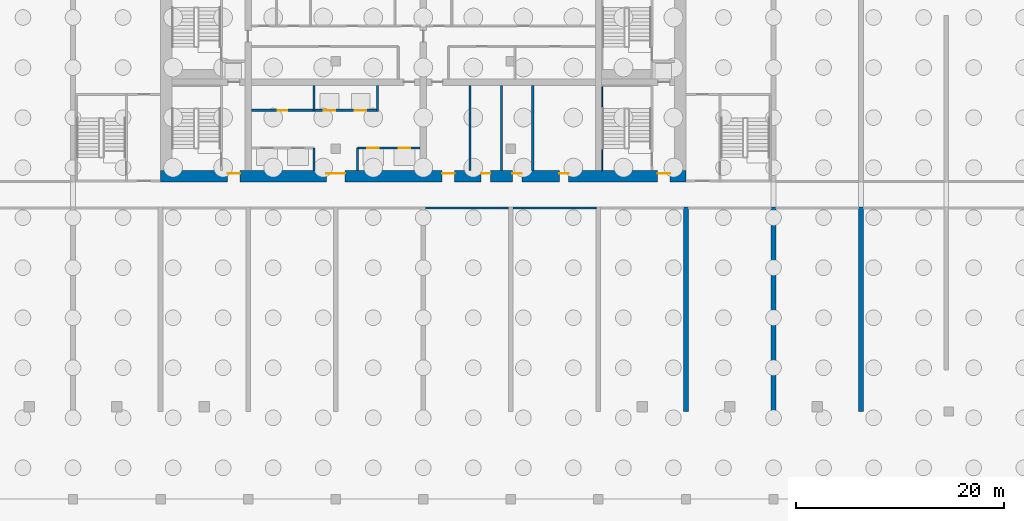
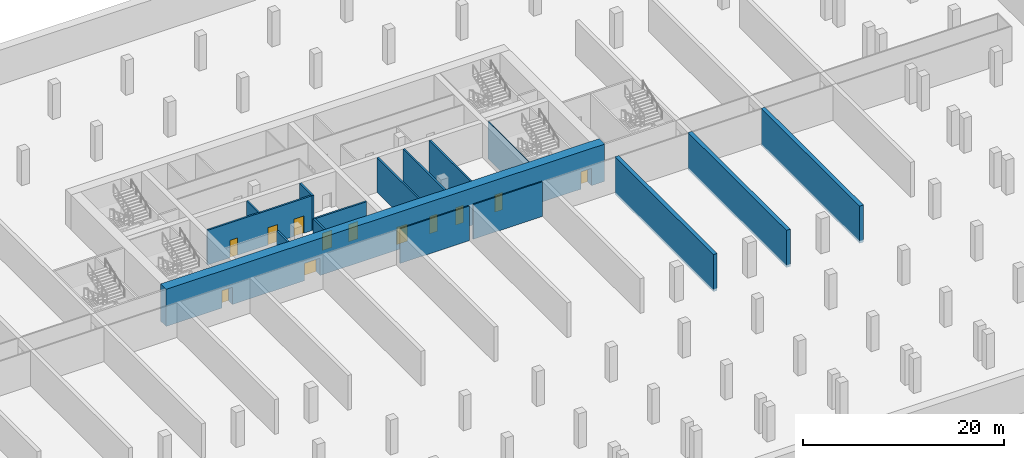
# One storey, part 7 of 17: 16 walls, 12 doors, 12 openings.
"""IFC4 building model written with IfcOpenShell, lengths in metres."""

from ifc_helpers import new_model, si_unit, direction, frame, frame_2d, origin, place, context, subcontext, project, spatial, rectangle, extrude, source, transform, mapped, material, layer, layer_set, type_object, element, fill, save


model = new_model("IFC4")

# Units and contexts
model_context = context("Model", 3, precision=1e-05, world=origin(), true_north=direction((0.0, 1.0)))
body_context = subcontext(model_context, "Body", "Model", "MODEL_VIEW")
ifc_project = project(units=[si_unit("LENGTHUNIT", "METRE"), si_unit("AREAUNIT", "SQUARE_METRE"), si_unit("VOLUMEUNIT", "CUBIC_METRE"), si_unit("PLANEANGLEUNIT", "RADIAN"), si_unit("MASSUNIT", "GRAM", prefix="KILO")], contexts=[model_context])

# Site, building, storey
site_placement = place(None, origin())
site = spatial("IfcSite", under=ifc_project, at=site_placement, CompositionType="ELEMENT")
building_placement = place(site_placement, origin())
building = spatial("IfcBuilding", under=site, at=building_placement, Name="Vanashikhar Sky Hotel", CompositionType="ELEMENT")
storey_placement = place(building_placement, frame((0.0, 0.0, -13.5)))
storey = spatial("IfcBuildingStorey", under=building, at=storey_placement, Name="B3", CompositionType="ELEMENT", Elevation=-13.5)

# Wall, openings, doors
ifc_material_1 = material(Name="Concrete M80", Category="concrete")
ifc_layer_1 = layer(ifc_material_1, 1.10009765625)
ifc_layer_set_1 = layer_set([ifc_layer_1], Name="RC core shell wall 1100 Concrete M80")
wall_type_1 = type_object("IfcWallType", Name="RC core shell wall 1100 Concrete M80", PredefinedType="SHEAR", material=ifc_layer_set_1)
shared_shape_1 = source(origin(), body_context, "Body", "SweptSolid", [
    extrude(rectangle(XDim=50.400146484375, YDim=1.10009765625, at=frame_2d((25.2001953125, 0.0))), origin(), (0.0, 0.0, 1.0), 4.52001953125),
])
wall_1_placement = place(storey_placement, frame((25.199951171875, 22.550048828125, -0.300048828125), z_axis=(0.0, 0.0, 1.0), x_axis=(1.0, 0.0, 0.0)))
wall_1 = element("IfcWall", 1, at=wall_1_placement, inside=storey, type_object=wall_type_1, Name="KW-B3-KS", PredefinedType="SHEAR", context=body_context, shape_type="MappedRepresentation", body=[
    mapped(shared_shape_1, transform((0.0, 0.0, 0.0), scale=1.0)),
])
shared_shape_2 = source(origin(), body_context, "Body", "SweptSolid", [
    extrude(rectangle(XDim=1.800048828125, YDim=2.10009765625, at=frame_2d((0.89990234375, 1.050048828125))), frame((0.0, 0.56005859375, 0.0), z_axis=(0.0, -1.0, 0.0), x_axis=(1.0, 0.0, 0.0)), (0.0, 0.0, 1.0), 1.1201171875),
])
opening_1_placement = place(wall_1_placement, frame((15.89990234375, 0.0, 0.0)))
opening_1 = element("IfcOpeningElement", 2, at=opening_1_placement, cuts=wall_1, Name="Opening DC-3", PredefinedType="OPENING", context=body_context, shape_type="MappedRepresentation", body=[
    mapped(shared_shape_2, transform((0.0, 0.0, 0.0), scale=1.0)),
])
shared_shape_3 = source(origin(), body_context, "Body", "SweptSolid", [
    extrude(rectangle(XDim=1.199951171875, YDim=2.10009765625, at=frame_2d((0.60009765625, 1.050048828125))), frame((0.0, 0.56005859375, 0.0), z_axis=(0.0, -1.0, 0.0), x_axis=(1.0, 0.0, 0.0)), (0.0, 0.0, 1.0), 1.1201171875),
])
opening_2_placement = place(wall_1_placement, frame((27.0, 0.0, 0.0)))
opening_2 = element("IfcOpeningElement", 3, at=opening_2_placement, cuts=wall_1, Name="Opening DC-4-B", PredefinedType="OPENING", context=body_context, shape_type="MappedRepresentation", body=[
    mapped(shared_shape_3, transform((0.0, 0.0, 0.0), scale=1.0)),
])
shared_shape_4 = source(origin(), body_context, "Body", "SweptSolid", [
    extrude(rectangle(XDim=0.89990234375, YDim=2.10009765625, at=frame_2d((0.449951171875, 1.050048828125))), frame((0.0, 0.56005859375, 0.0), z_axis=(0.0, -1.0, 0.0), x_axis=(1.0, 0.0, 0.0)), (0.0, 0.0, 1.0), 1.1201171875),
])
opening_3_placement = place(wall_1_placement, frame((33.75, 0.0, 0.0)))
opening_3 = element("IfcOpeningElement", 4, at=opening_3_placement, cuts=wall_1, Name="Opening DC-4-A", PredefinedType="OPENING", context=body_context, shape_type="MappedRepresentation", body=[
    mapped(shared_shape_4, transform((0.0, 0.0, 0.0), scale=1.0)),
])
opening_4_placement = place(wall_1_placement, frame((30.75, 0.0, 0.0)))
opening_4 = element("IfcOpeningElement", 5, at=opening_4_placement, cuts=wall_1, Name="Opening DC-4-A", PredefinedType="OPENING", context=body_context, shape_type="MappedRepresentation", body=[
    mapped(shared_shape_4, transform((0.0, 0.0, 0.0), scale=1.0)),
])
opening_5_placement = place(wall_1_placement, frame((38.25, 0.0, 0.0)))
opening_5 = element("IfcOpeningElement", 6, at=opening_5_placement, cuts=wall_1, Name="Opening DC-4-A", PredefinedType="OPENING", context=body_context, shape_type="MappedRepresentation", body=[
    mapped(shared_shape_4, transform((0.0, 0.0, 0.0), scale=1.0)),
])
opening_6_placement = place(wall_1_placement, frame((6.425048828125, 0.0, 0.0)))
opening_6 = element("IfcOpeningElement", 7, at=opening_6_placement, cuts=wall_1, Name="Opening DC-2", PredefinedType="OPENING", context=body_context, shape_type="MappedRepresentation", body=[
    mapped(shared_shape_3, transform((0.0, 0.0, 0.0), scale=1.0)),
])
opening_7_placement = place(wall_1_placement, frame((47.675048828125, 0.0, 0.0)))
opening_7 = element("IfcOpeningElement", 8, at=opening_7_placement, cuts=wall_1, Name="Opening DC-2", PredefinedType="OPENING", context=body_context, shape_type="MappedRepresentation", body=[
    mapped(shared_shape_3, transform((0.0, 0.0, 0.0), scale=1.0)),
])
ifc_material_2 = material(Name="Glass", Category="glass")
door_type_1 = type_object("IfcDoorType", Name="Lift lobby entrance door 1800 FD60", OperationType="NOTDEFINED", PredefinedType="DOOR", material=ifc_material_2)
shared_shape_5 = source(origin(), body_context, "Body", "SweptSolid", [
    extrude(rectangle(XDim=1.800048828125, YDim=2.10009765625, at=frame_2d((0.89990234375, 1.050048828125))), frame((0.0, 0.3251953125, 0.0), z_axis=(0.0, -1.0, 0.0), x_axis=(1.0, 0.0, 0.0)), (0.0, 0.0, 1.0), 0.050048828125),
])
door_1_placement = place(opening_1_placement, origin())
door_1 = element("IfcDoor", 9, at=door_1_placement, inside=storey, type_object=door_type_1, Name="Lift lobby entrance door 1800 FD60", OperationType="DOUBLE_DOOR_SINGLE_SWING", OverallHeight=2.10009765625, OverallWidth=1.800048828125, PredefinedType="DOOR", context=body_context, shape_type="MappedRepresentation", body=[
    mapped(shared_shape_5, transform((0.0, 0.0, 0.0), scale=1.0)),
])
fill(opening_1, door_1)
ifc_material_3 = material(Name="Steel", Category="steel")
door_type_2 = type_object("IfcDoorType", Name="Service door 1200 FD60", OperationType="NOTDEFINED", PredefinedType="DOOR", material=ifc_material_3)
shared_shape_6 = source(origin(), body_context, "Body", "SweptSolid", [
    extrude(rectangle(XDim=1.199951171875, YDim=2.10009765625, at=frame_2d((0.60009765625, 1.050048828125))), frame((0.0, 0.3251953125, 0.0), z_axis=(0.0, -1.0, 0.0), x_axis=(1.0, 0.0, 0.0)), (0.0, 0.0, 1.0), 0.050048828125),
])
door_2_placement = place(opening_2_placement, origin())
door_2 = element("IfcDoor", 10, at=door_2_placement, inside=storey, type_object=door_type_2, Name="Service door 1200 FD60", OperationType="SINGLE_SWING_LEFT", OverallHeight=2.10009765625, OverallWidth=1.199951171875, PredefinedType="DOOR", context=body_context, shape_type="MappedRepresentation", body=[
    mapped(shared_shape_6, transform((0.0, 0.0, 0.0), scale=1.0)),
])
fill(opening_2, door_2)
door_type_3 = type_object("IfcDoorType", Name="Firefighting lobby door 1200 FD120", OperationType="NOTDEFINED", PredefinedType="DOOR", material=ifc_material_3)
door_3_placement = place(opening_6_placement, origin())
door_3 = element("IfcDoor", 11, at=door_3_placement, inside=storey, type_object=door_type_3, Name="Firefighting lobby door 1200 FD120", OperationType="SINGLE_SWING_LEFT", OverallHeight=2.10009765625, OverallWidth=1.199951171875, PredefinedType="DOOR", context=body_context, shape_type="MappedRepresentation", body=[
    mapped(shared_shape_6, transform((0.0, 0.0, 0.0), scale=1.0)),
])
fill(opening_6, door_3)
door_4_placement = place(opening_7_placement, origin())
door_4 = element("IfcDoor", 12, at=door_4_placement, inside=storey, type_object=door_type_3, Name="Firefighting lobby door 1200 FD120", OperationType="SINGLE_SWING_RIGHT", OverallHeight=2.10009765625, OverallWidth=1.199951171875, PredefinedType="DOOR", context=body_context, shape_type="MappedRepresentation", body=[
    mapped(shared_shape_6, transform((0.0, 0.0, 0.0), scale=1.0)),
])
fill(opening_7, door_4)
door_type_4 = type_object("IfcDoorType", Name="Service door 900 FD60", OperationType="NOTDEFINED", PredefinedType="DOOR", material=ifc_material_3)
shared_shape_7 = source(origin(), body_context, "Body", "SweptSolid", [
    extrude(rectangle(XDim=0.89990234375, YDim=2.10009765625, at=frame_2d((0.449951171875, 1.050048828125))), frame((0.0, 0.3251953125, 0.0), z_axis=(0.0, -1.0, 0.0), x_axis=(1.0, 0.0, 0.0)), (0.0, 0.0, 1.0), 0.050048828125),
])
door_5_placement = place(opening_3_placement, origin())
door_5 = element("IfcDoor", 13, at=door_5_placement, inside=storey, type_object=door_type_4, Name="Service door 900 FD60", OperationType="SINGLE_SWING_LEFT", OverallHeight=2.10009765625, OverallWidth=0.89990234375, PredefinedType="DOOR", context=body_context, shape_type="MappedRepresentation", body=[
    mapped(shared_shape_7, transform((0.0, 0.0, 0.0), scale=1.0)),
])
fill(opening_3, door_5)
door_6_placement = place(opening_4_placement, origin())
door_6 = element("IfcDoor", 14, at=door_6_placement, inside=storey, type_object=door_type_4, Name="Service door 900 FD60", OperationType="SINGLE_SWING_RIGHT", OverallHeight=2.10009765625, OverallWidth=0.89990234375, PredefinedType="DOOR", context=body_context, shape_type="MappedRepresentation", body=[
    mapped(shared_shape_7, transform((0.0, 0.0, 0.0), scale=1.0)),
])
fill(opening_4, door_6)
door_7_placement = place(opening_5_placement, origin())
door_7 = element("IfcDoor", 15, at=door_7_placement, inside=storey, type_object=door_type_4, Name="Service door 900 FD60", OperationType="SINGLE_SWING_RIGHT", OverallHeight=2.10009765625, OverallWidth=0.89990234375, PredefinedType="DOOR", context=body_context, shape_type="MappedRepresentation", body=[
    mapped(shared_shape_7, transform((0.0, 0.0, 0.0), scale=1.0)),
])
fill(opening_5, door_7)

# Walls
ifc_layer_2 = layer(ifc_material_1, 0.449951171875)
ifc_layer_set_2 = layer_set([ifc_layer_2], Name="RC shear wall 450 Concrete M80")
wall_type_2 = type_object("IfcWallType", Name="RC shear wall 450 Concrete M80", PredefinedType="SHEAR", material=ifc_layer_set_2)
shared_shape_8 = source(origin(), body_context, "Body", "SweptSolid", [
    extrude(rectangle(XDim=19.60009765625, YDim=0.449951171875, at=frame_2d((9.800048828125, 0.0))), origin(), (0.0, 0.0, 1.0), 4.52001953125),
])
for number, where, z_axis, x_axis, name in (
    (16, (75.60009765625, 0.0, -0.300048828125), (0.0, 0.0, 1.0), (0.0, 1.0, 0.0), "CW-B3-XW10-1"),
    (17, (84.0, 0.0, -0.300048828125), (0.0, 0.0, 1.0), (0.0, 1.0, 0.0), "CW-B3-XW11-1"),
    (18, (92.39990234375, 0.0, -0.300048828125), (0.0, 0.0, 1.0), (0.0, 1.0, 0.0), "CW-B3-XW12-1"),
):
    element("IfcWall", number, at=place(storey_placement, frame(where, z_axis=z_axis, x_axis=x_axis)), inside=storey, type_object=wall_type_2, Name=name, PredefinedType="SHEAR", context=body_context, shape_type="MappedRepresentation", body=[
        mapped(shared_shape_8, transform((0.0, 0.0, 0.0), scale=1.0)),
    ])

# Wall, openings, doors
ifc_material_4 = material(Name="Concrete M40", Category="concrete")
ifc_layer_3 = layer(ifc_material_4, 0.199951171875)
ifc_layer_set_3 = layer_set([ifc_layer_3], Name="Shaft wall 200")
wall_type_3 = type_object("IfcWallType", Name="Shaft wall 200", PredefinedType="SOLIDWALL", material=ifc_layer_set_3)
shared_shape_9 = source(origin(), body_context, "Body", "SweptSolid", [
    extrude(rectangle(XDim=6.0, YDim=0.199951171875, at=frame_2d((3.0, 0.0))), origin(), (0.0, 0.0, 1.0), 4.219970703125),
])
wall_2_placement = place(storey_placement, frame((44.10009765625, 25.300048828125, 0.0), z_axis=(0.0, 0.0, 1.0), x_axis=(1.0, 0.0, 0.0)))
wall_2 = element("IfcWall", 19, at=wall_2_placement, inside=storey, type_object=wall_type_3, Name="Shaft wall 200", PredefinedType="SOLIDWALL", context=body_context, shape_type="MappedRepresentation", body=[
    mapped(shared_shape_9, transform((0.0, 0.0, 0.0), scale=1.0)),
])
shared_shape_10 = source(origin(), body_context, "Body", "SweptSolid", [
    extrude(rectangle(XDim=1.10009765625, YDim=2.10009765625, at=frame_2d((0.550048828125, 1.050048828125))), frame((0.0, 0.10986328125, 0.0), z_axis=(0.0, -1.0, 0.0), x_axis=(1.0, 0.0, 0.0)), (0.0, 0.0, 1.0), 0.219970703125),
])
opening_8_placement = place(wall_2_placement, frame((0.949951171875, 0.0, 0.0)))
opening_8 = element("IfcOpeningElement", 20, at=opening_8_placement, cuts=wall_2, Name="Opening LD", PredefinedType="OPENING", context=body_context, shape_type="MappedRepresentation", body=[
    mapped(shared_shape_10, transform((0.0, 0.0, 0.0), scale=1.0)),
])
opening_9_placement = place(wall_2_placement, frame((3.949951171875, 0.0, 0.0)))
opening_9 = element("IfcOpeningElement", 21, at=opening_9_placement, cuts=wall_2, Name="Opening LD", PredefinedType="OPENING", context=body_context, shape_type="MappedRepresentation", body=[
    mapped(shared_shape_10, transform((0.0, 0.0, 0.0), scale=1.0)),
])
ifc_material_5 = material(Name="Stainless steel", Category="steel")
door_type_5 = type_object("IfcDoorType", Name="Lift landing door 1100", OperationType="NOTDEFINED", PredefinedType="DOOR", material=ifc_material_5)
shared_shape_11 = source(origin(), body_context, "Body", "SweptSolid", [
    extrude(rectangle(XDim=1.10009765625, YDim=2.10009765625, at=frame_2d((0.550048828125, 1.050048828125))), frame((0.0, 0.02490234375, 0.0), z_axis=(0.0, -1.0, 0.0), x_axis=(1.0, 0.0, 0.0)), (0.0, 0.0, 1.0), 0.050048828125),
])
door_8_placement = place(opening_8_placement, origin())
door_8 = element("IfcDoor", 22, at=door_8_placement, inside=storey, type_object=door_type_5, Name="Lift landing door 1100", OperationType="SLIDING_TO_LEFT", OverallHeight=2.10009765625, OverallWidth=1.10009765625, PredefinedType="DOOR", context=body_context, shape_type="MappedRepresentation", body=[
    mapped(shared_shape_11, transform((0.0, 0.0, 0.0), scale=1.0)),
])
fill(opening_8, door_8)
door_9_placement = place(opening_9_placement, origin())
door_9 = element("IfcDoor", 23, at=door_9_placement, inside=storey, type_object=door_type_5, Name="Lift landing door 1100", OperationType="SLIDING_TO_RIGHT", OverallHeight=2.10009765625, OverallWidth=1.10009765625, PredefinedType="DOOR", context=body_context, shape_type="MappedRepresentation", body=[
    mapped(shared_shape_11, transform((0.0, 0.0, 0.0), scale=1.0)),
])
fill(opening_9, door_9)

shared_shape_12 = source(origin(), body_context, "Body", "SweptSolid", [
    extrude(rectangle(XDim=12.0, YDim=0.199951171875, at=frame_2d((6.0, 0.0))), origin(), (0.0, 0.0, 1.0), 4.219970703125),
])
wall_3_placement = place(storey_placement, frame((33.89990234375, 28.89990234375, 0.0), z_axis=(0.0, 0.0, 1.0), x_axis=(1.0, 0.0, 0.0)))
wall_3 = element("IfcWall", 24, at=wall_3_placement, inside=storey, type_object=wall_type_3, Name="Shaft wall 200", PredefinedType="SOLIDWALL", context=body_context, shape_type="MappedRepresentation", body=[
    mapped(shared_shape_12, transform((0.0, 0.0, 0.0), scale=1.0)),
])
opening_10_placement = place(wall_3_placement, frame((6.949951171875, 0.0, 0.0)))
opening_10 = element("IfcOpeningElement", 25, at=opening_10_placement, cuts=wall_3, Name="Opening LD", PredefinedType="OPENING", context=body_context, shape_type="MappedRepresentation", body=[
    mapped(shared_shape_10, transform((0.0, 0.0, 0.0), scale=1.0)),
])
opening_11_placement = place(wall_3_placement, frame((9.949951171875, 0.0, 0.0)))
opening_11 = element("IfcOpeningElement", 26, at=opening_11_placement, cuts=wall_3, Name="Opening LD", PredefinedType="OPENING", context=body_context, shape_type="MappedRepresentation", body=[
    mapped(shared_shape_10, transform((0.0, 0.0, 0.0), scale=1.0)),
])
shared_shape_13 = source(origin(), body_context, "Body", "SweptSolid", [
    extrude(rectangle(XDim=0.89990234375, YDim=2.10009765625, at=frame_2d((0.449951171875, 1.050048828125))), frame((0.0, 0.10986328125, 0.0), z_axis=(0.0, -1.0, 0.0), x_axis=(1.0, 0.0, 0.0)), (0.0, 0.0, 1.0), 0.219970703125),
])
opening_12_placement = place(wall_3_placement, frame((2.550048828125, 0.0, 0.0)))
opening_12 = element("IfcOpeningElement", 27, at=opening_12_placement, cuts=wall_3, Name="Opening DC-4-A", PredefinedType="OPENING", context=body_context, shape_type="MappedRepresentation", body=[
    mapped(shared_shape_13, transform((0.0, 0.0, 0.0), scale=1.0)),
])
door_10_placement = place(opening_10_placement, origin())
door_10 = element("IfcDoor", 28, at=door_10_placement, inside=storey, type_object=door_type_5, Name="Lift landing door 1100", OperationType="SLIDING_TO_LEFT", OverallHeight=2.10009765625, OverallWidth=1.10009765625, PredefinedType="DOOR", context=body_context, shape_type="MappedRepresentation", body=[
    mapped(shared_shape_11, transform((0.0, 0.0, 0.0), scale=1.0)),
])
fill(opening_10, door_10)
door_11_placement = place(opening_11_placement, origin())
door_11 = element("IfcDoor", 29, at=door_11_placement, inside=storey, type_object=door_type_5, Name="Lift landing door 1100", OperationType="SLIDING_TO_RIGHT", OverallHeight=2.10009765625, OverallWidth=1.10009765625, PredefinedType="DOOR", context=body_context, shape_type="MappedRepresentation", body=[
    mapped(shared_shape_11, transform((0.0, 0.0, 0.0), scale=1.0)),
])
fill(opening_11, door_11)
shared_shape_14 = source(origin(), body_context, "Body", "SweptSolid", [
    extrude(rectangle(XDim=0.89990234375, YDim=2.10009765625, at=frame_2d((0.449951171875, 1.050048828125))), frame((0.0, 0.02490234375, 0.0), z_axis=(0.0, -1.0, 0.0), x_axis=(1.0, 0.0, 0.0)), (0.0, 0.0, 1.0), 0.050048828125),
])
door_12_placement = place(opening_12_placement, origin())
door_12 = element("IfcDoor", 30, at=door_12_placement, inside=storey, type_object=door_type_4, Name="Service door 900 FD60", OperationType="SINGLE_SWING_LEFT", OverallHeight=2.10009765625, OverallWidth=0.89990234375, PredefinedType="DOOR", context=body_context, shape_type="MappedRepresentation", body=[
    mapped(shared_shape_14, transform((0.0, 0.0, 0.0), scale=1.0)),
])
fill(opening_12, door_12)

# Walls
shared_shape_15 = source(origin(), body_context, "Body", "SweptSolid", [
    extrude(rectangle(XDim=2.199951171875, YDim=0.199951171875, at=frame_2d((1.10009765625, 0.0))), origin(), (0.0, 0.0, 1.0), 4.219970703125),
])
for number, where, z_axis, x_axis, name in (
    (31, (39.89990234375, 23.10009765625, 0.0), (0.0, 0.0, 1.0), (0.0, 1.0, 0.0), "Shaft wall 200"),
    (32, (44.10009765625, 23.10009765625, 0.0), (0.0, 0.0, 1.0), (0.0, 1.0, 0.0), "Shaft wall 200"),
):
    element("IfcWall", number, at=place(storey_placement, frame(where, z_axis=z_axis, x_axis=x_axis)), inside=storey, type_object=wall_type_3, Name=name, PredefinedType="SOLIDWALL", context=body_context, shape_type="MappedRepresentation", body=[
        mapped(shared_shape_15, transform((0.0, 0.0, 0.0), scale=1.0)),
    ])
shared_shape_16 = source(origin(), body_context, "Body", "SweptSolid", [
    extrude(rectangle(XDim=2.5, YDim=0.199951171875, at=frame_2d((1.25, 0.0))), origin(), (0.0, 0.0, 1.0), 4.219970703125),
])
wall_4_placement = place(storey_placement, frame((46.0, 28.800048828125, 0.0), z_axis=(0.0, 0.0, 1.0), x_axis=(0.0, 1.0, 0.0)))
element("IfcWall", 33, at=wall_4_placement, inside=storey, type_object=wall_type_3, Name="Shaft wall 200", PredefinedType="SOLIDWALL", context=body_context, shape_type="MappedRepresentation", body=[
    mapped(shared_shape_16, transform((0.0, 0.0, 0.0), scale=1.0)),
])
ifc_material_6 = material(Name="Gypsum board partition")
ifc_layer_4 = layer(ifc_material_6, 0.14990234375)
ifc_layer_set_4 = layer_set([ifc_layer_4], Name="Service partition 150")
wall_type_4 = type_object("IfcWallType", Name="Service partition 150", PredefinedType="PARTITIONING", material=ifc_layer_set_4)
shared_shape_17 = source(origin(), body_context, "Body", "SweptSolid", [
    extrude(rectangle(XDim=2.400146484375, YDim=0.199951171875, at=frame_2d((1.2001953125, 0.0))), origin(), (0.0, 0.0, 1.0), 4.219970703125),
])
wall_5_placement = place(storey_placement, frame((39.89990234375, 28.89990234375, 0.0), z_axis=(0.0, 0.0, 1.0), x_axis=(0.0, 1.0, 0.0)))
element("IfcWall", 34, at=wall_5_placement, inside=storey, type_object=wall_type_4, Name="Service partition 150", PredefinedType="PARTITIONING", context=body_context, shape_type="MappedRepresentation", body=[
    mapped(shared_shape_17, transform((0.0, 0.0, 0.0), scale=1.0)),
])
shared_shape_18 = source(origin(), body_context, "Body", "SweptSolid", [
    extrude(rectangle(XDim=8.199951171875, YDim=0.199951171875, at=frame_2d((4.10009765625, 0.0))), origin(), (0.0, 0.0, 1.0), 4.219970703125),
])
for number, where, z_axis, x_axis, name in (
    (35, (54.89990234375, 23.10009765625, 0.0), (0.0, 0.0, 1.0), (0.0, 1.0, 0.0), "Service partition 150"),
    (36, (60.89990234375, 23.10009765625, 0.0), (0.0, 0.0, 1.0), (0.0, 1.0, 0.0), "Service partition 150"),
    (37, (57.89990234375, 23.10009765625, 0.0), (0.0, 0.0, 1.0), (0.0, 1.0, 0.0), "Service partition 150"),
):
    element("IfcWall", number, at=place(storey_placement, frame(where, z_axis=z_axis, x_axis=x_axis)), inside=storey, type_object=wall_type_4, Name=name, PredefinedType="PARTITIONING", context=body_context, shape_type="MappedRepresentation", body=[
        mapped(shared_shape_18, transform((0.0, 0.0, 0.0), scale=1.0)),
    ])
ifc_material_7 = material(Name="Concrete M50", Category="concrete")
ifc_layer_5 = layer(ifc_material_7, 0.10009765625)
ifc_layer_set_5 = layer_set([ifc_layer_5], Name="Stair infill wall 100")
wall_type_5 = type_object("IfcWallType", Name="Stair infill wall 100", PredefinedType="SOLIDWALL", material=ifc_layer_set_5)
shared_shape_19 = source(origin(), body_context, "Body", "SweptSolid", [
    extrude(rectangle(XDim=8.099853515625, YDim=0.10009765625, at=frame_2d((4.0498046875, 0.0))), origin(), (0.0, 0.0, 1.0), 4.52001953125),
])
wall_6_placement = place(storey_placement, frame((67.550048828125, 23.10009765625, -0.300048828125), z_axis=(0.0, 0.0, 1.0), x_axis=(0.0, 1.0, 0.0)))
element("IfcWall", 38, at=wall_6_placement, inside=storey, type_object=wall_type_5, Name="Stair infill wall 100", PredefinedType="SOLIDWALL", context=body_context, shape_type="MappedRepresentation", body=[
    mapped(shared_shape_19, transform((0.0, 0.0, 0.0), scale=1.0)),
])
ifc_material_8 = material(Name="Concrete M30", Category="concrete")
ifc_layer_6 = layer(ifc_material_8, 0.14990234375)
ifc_layer_set_6 = layer_set([ifc_layer_6], Name="Car park partition 150 mm")
wall_type_6 = type_object("IfcWallType", Name="Car park partition 150 mm", PredefinedType="PARTITIONING", material=ifc_layer_set_6)
shared_shape_20 = source(origin(), body_context, "Body", "SweptSolid", [
    extrude(rectangle(XDim=7.949951171875, YDim=0.14990234375, at=frame_2d((3.97509765625, 0.0))), origin(), (0.0, 0.0, 1.0), 4.219970703125),
])
wall_7_placement = place(storey_placement, frame((50.625, 19.52490234375, 0.0), z_axis=(0.0, 0.0, 1.0), x_axis=(1.0, 0.0, 0.0)))
element("IfcWall", 39, at=wall_7_placement, inside=storey, type_object=wall_type_6, Name="Car park partition", PredefinedType="PARTITIONING", context=body_context, shape_type="MappedRepresentation", body=[
    mapped(shared_shape_20, transform((0.0, 0.0, 0.0), scale=1.0)),
])
shared_shape_21 = source(origin(), body_context, "Body", "SweptSolid", [
    extrude(rectangle(XDim=7.9501953125, YDim=0.14990234375, at=frame_2d((3.97509765625, 0.0))), origin(), (0.0, 0.0, 1.0), 4.219970703125),
])
wall_8_placement = place(storey_placement, frame((59.02490234375, 19.52490234375, 0.0), z_axis=(0.0, 0.0, 1.0), x_axis=(1.0, 0.0, 0.0)))
element("IfcWall", 40, at=wall_8_placement, inside=storey, type_object=wall_type_6, Name="Car park partition", PredefinedType="PARTITIONING", context=body_context, shape_type="MappedRepresentation", body=[
    mapped(shared_shape_21, transform((0.0, 0.0, 0.0), scale=1.0)),
])

save(model, "model.ifc")
